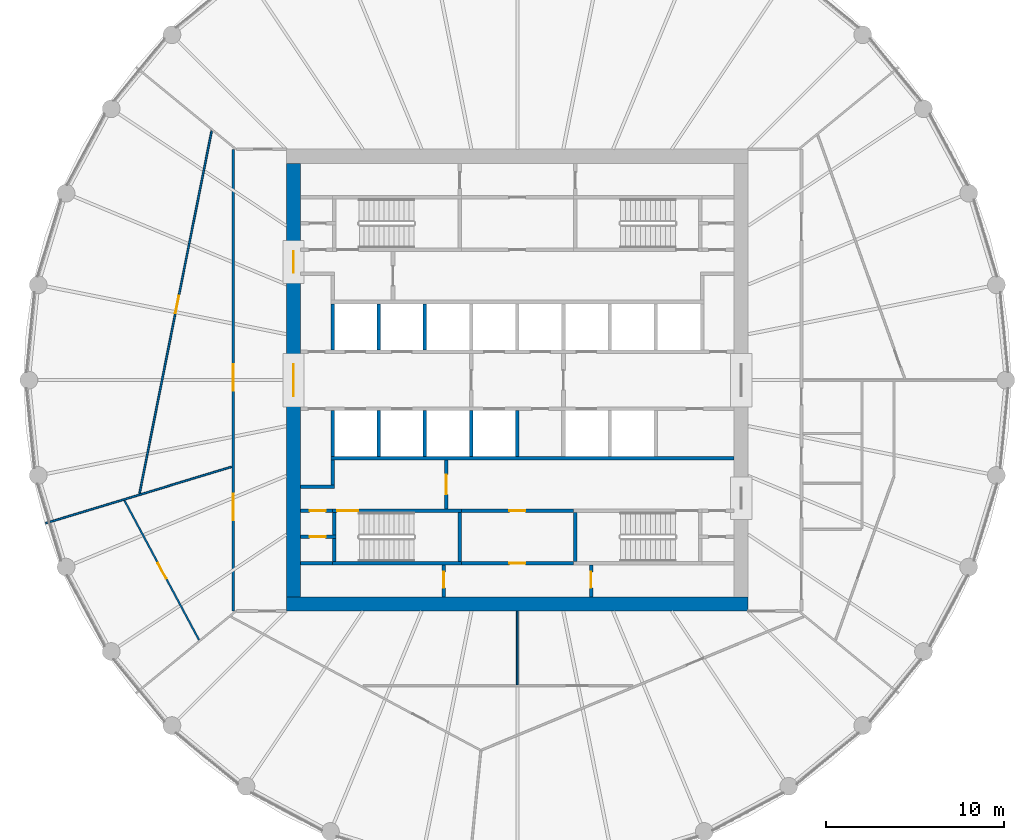
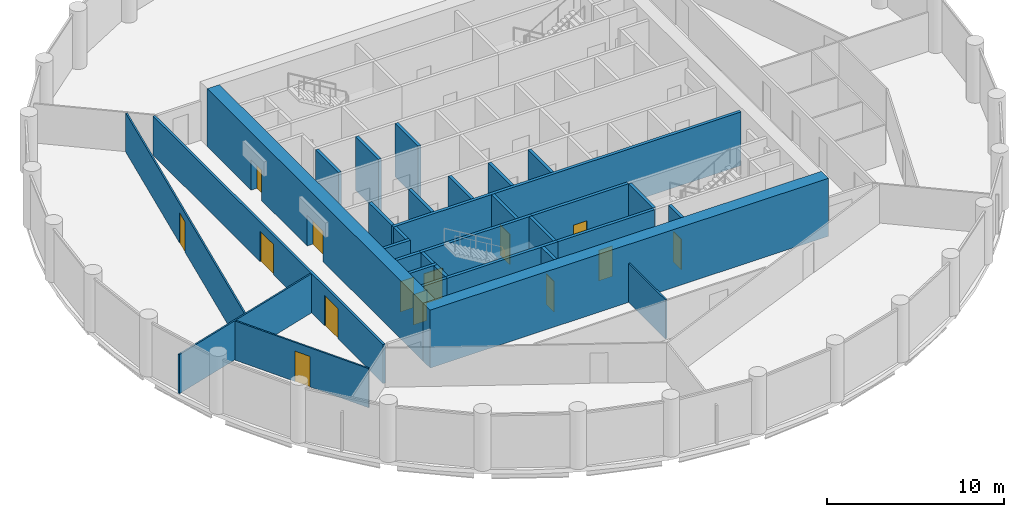
# One storey, part 4 of 8: 32 walls, 14 doors, 14 openings.
"""IFC4 building model written with IfcOpenShell, lengths in metres."""

from ifc_helpers import new_model, si_unit, direction, frame, frame_2d, origin, place, context, subcontext, project, spatial, polyline, rectangle, outline, extrude, material, layer, layer_set, type_object, element, fill, save


model = new_model("IFC4")

# Units and contexts
model_context = context("Model", 3, precision=1e-05, world=origin(), true_north=direction((0.0, 1.0)))
body_context = subcontext(model_context, "Body", "Model", "MODEL_VIEW")
ifc_project = project(units=[si_unit("LENGTHUNIT", "METRE"), si_unit("AREAUNIT", "SQUARE_METRE"), si_unit("VOLUMEUNIT", "CUBIC_METRE"), si_unit("PLANEANGLEUNIT", "RADIAN"), si_unit("MASSUNIT", "GRAM", prefix="KILO")], contexts=[model_context])

# Site, building, storey
site_placement = place(None, origin())
site = spatial("IfcSite", under=ifc_project, at=site_placement, CompositionType="ELEMENT")
building_placement = place(site_placement, origin())
building = spatial("IfcBuilding", under=site, at=building_placement, Name="Corvane Civic Tower", CompositionType="ELEMENT")
storey_placement = place(building_placement, frame((0.0, 0.0, 209.5)))
storey = spatial("IfcBuildingStorey", under=building, at=storey_placement, Name="L49", CompositionType="ELEMENT", Elevation=209.5)

# Wall
ifc_material_1 = material(Name="Concrete C50/60", Category="concrete")
ifc_layer_1 = layer(ifc_material_1, 0.800048828125)
ifc_layer_set_1 = layer_set([ifc_layer_1], Name="Concrete C50/60")
wall_type_1 = type_object("IfcWallType", Name="CORE WALL 800 C50/60", PredefinedType="SHEAR", material=ifc_layer_set_1)
wall_1_placement = place(storey_placement, frame((-13.0, -12.60009765625, 0.0), z_axis=(0.0, 0.0, 1.0), x_axis=(1.0, 0.0, 0.0)))
element("IfcWall", 1, at=wall_1_placement, inside=storey, type_object=wall_type_1, Name="W-L49-core-S", PredefinedType="SHEAR", context=body_context, shape_type="SweptSolid", body=[
    extrude(rectangle(XDim=26.0, YDim=0.800048828125, at=frame_2d((13.0, 0.0))), origin(), (0.0, 0.0, 1.0), 4.0),
])

# Wall, openings, doors
wall_2_placement = place(storey_placement, frame((-12.60009765625, -12.199951171875, 0.0), z_axis=(0.0, 0.0, 1.0), x_axis=(0.0, 1.0, 0.0)))
wall_2 = element("IfcWall", 2, at=wall_2_placement, inside=storey, type_object=wall_type_1, Name="W-L49-core-W", PredefinedType="SHEAR", context=body_context, shape_type="SweptSolid", body=[
    extrude(rectangle(XDim=24.39990234375, YDim=0.800048828125, at=frame_2d((12.199951171875, 0.0))), origin(), (0.0, 0.0, 1.0), 4.0),
])
opening_1_placement = place(wall_2_placement, frame((11.300048828125, 0.0, 0.0)))
opening_1 = element("IfcOpeningElement", 3, at=opening_1_placement, cuts=wall_2, Name="Opening L49.C30", PredefinedType="OPENING", context=body_context, shape_type="SweptSolid", body=[
    extrude(rectangle(XDim=1.800048828125, YDim=2.10009765625, at=frame_2d((0.89990234375, 1.050048828125))), frame((0.0, 0.409912109375, 0.0), z_axis=(0.0, -1.0, 0.0), x_axis=(1.0, 0.0, 0.0)), (0.0, 0.0, 1.0), 0.820068359375),
])
opening_2_placement = place(wall_2_placement, frame((18.25, 0.0, 0.0)))
opening_2 = element("IfcOpeningElement", 4, at=opening_2_placement, cuts=wall_2, Name="Opening L49.C32", PredefinedType="OPENING", context=body_context, shape_type="SweptSolid", body=[
    extrude(rectangle(XDim=1.199951171875, YDim=2.10009765625, at=frame_2d((0.60009765625, 1.050048828125))), frame((0.0, 0.409912109375, 0.0), z_axis=(0.0, -1.0, 0.0), x_axis=(1.0, 0.0, 0.0)), (0.0, 0.0, 1.0), 0.820068359375),
])
ifc_material_2 = material(Name="Steel fire door leaf", Category="steel")
door_type_1 = type_object("IfcDoorType", Name="CR-DOOR-CORE-1800", OperationType="DOUBLE_DOOR_SINGLE_SWING", PredefinedType="DOOR", material=ifc_material_2)
door_1_placement = place(opening_1_placement, origin())
door_1 = element("IfcDoor", 5, at=door_1_placement, inside=storey, type_object=door_type_1, Name="L49 door", OperationType="DOUBLE_DOOR_SINGLE_SWING", OverallHeight=2.10009765625, OverallWidth=1.800048828125, PredefinedType="DOOR", context=body_context, shape_type="SweptSolid", body=[
    extrude(rectangle(XDim=1.800048828125, YDim=2.10009765625, at=frame_2d((0.89990234375, 1.050048828125))), frame((0.0, 0.02490234375, 0.0), z_axis=(0.0, -1.0, 0.0), x_axis=(1.0, 0.0, 0.0)), (0.0, 0.0, 1.0), 0.050048828125),
])
fill(opening_1, door_1)
door_2_placement = place(opening_2_placement, origin())
door_2 = element("IfcDoor", 6, at=door_2_placement, inside=storey, type_object=door_type_1, Name="L49 door", OperationType="DOUBLE_DOOR_SINGLE_SWING", OverallHeight=2.10009765625, OverallWidth=1.199951171875, PredefinedType="DOOR", context=body_context, shape_type="SweptSolid", body=[
    extrude(rectangle(XDim=1.199951171875, YDim=2.10009765625, at=frame_2d((0.60009765625, 1.050048828125))), frame((0.0, 0.02490234375, 0.0), z_axis=(0.0, -1.0, 0.0), x_axis=(1.0, 0.0, 0.0)), (0.0, 0.0, 1.0), 0.050048828125),
])
fill(opening_2, door_2)

# Wall, opening, door
ifc_material_3 = material(Name="Concrete C30/37", Category="concrete")
ifc_layer_2 = layer(ifc_material_3, 0.199951171875)
ifc_layer_set_2 = layer_set([ifc_layer_2], Name="Concrete C30/37")
wall_type_2 = type_object("IfcWallType", Name="CR-WALL-200", PredefinedType="PARTITIONING", material=ifc_layer_set_2)
wall_3_placement = place(storey_placement, frame((-3.14990234375, -10.300048828125, 0.0), z_axis=(0.0, 0.0, 1.0), x_axis=(1.0, 0.0, 0.0)))
wall_3 = element("IfcWall", 7, at=wall_3_placement, inside=storey, type_object=wall_type_2, Name="L49 partition wall", PredefinedType="PARTITIONING", context=body_context, shape_type="SweptSolid", body=[
    extrude(rectangle(XDim=6.2998046875, YDim=0.199951171875, at=frame_2d((3.14990234375, 0.0))), origin(), (0.0, 0.0, 1.0), 3.699951171875),
])
opening_3_placement = place(wall_3_placement, frame((2.699951171875, 0.0, 0.0)))
opening_3 = element("IfcOpeningElement", 8, at=opening_3_placement, cuts=wall_3, Name="Opening L49.C12", PredefinedType="OPENING", context=body_context, shape_type="SweptSolid", body=[
    extrude(rectangle(XDim=0.89990234375, YDim=2.10009765625, at=frame_2d((0.449951171875, 1.050048828125))), frame((0.0, 0.10986328125, 0.0), z_axis=(0.0, -1.0, 0.0), x_axis=(1.0, 0.0, 0.0)), (0.0, 0.0, 1.0), 0.219970703125),
])
ifc_material_4 = material(Name="Steel fire door leaf", Category="steel")
door_type_2 = type_object("IfcDoorType", Name="CR-DOOR-900", OperationType="SINGLE_SWING_LEFT", PredefinedType="DOOR", material=ifc_material_4)
door_3_placement = place(opening_3_placement, origin())
door_3 = element("IfcDoor", 9, at=door_3_placement, inside=storey, type_object=door_type_2, Name="L49 door", OperationType="SINGLE_SWING_LEFT", OverallHeight=2.10009765625, OverallWidth=0.89990234375, PredefinedType="DOOR", context=body_context, shape_type="SweptSolid", body=[
    extrude(rectangle(XDim=0.89990234375, YDim=2.10009765625, at=frame_2d((0.449951171875, 1.050048828125))), frame((0.0, 0.02490234375, 0.0), z_axis=(0.0, -1.0, 0.0), x_axis=(1.0, 0.0, 0.0)), (0.0, 0.0, 1.0), 0.050048828125),
])
fill(opening_3, door_3)

wall_4_placement = place(storey_placement, frame((-12.199951171875, -8.824951171875, 0.0), z_axis=(0.0, 0.0, 1.0), x_axis=(1.0, 0.0, 0.0)))
wall_4 = element("IfcWall", 10, at=wall_4_placement, inside=storey, type_object=wall_type_2, Name="L49 partition wall", PredefinedType="PARTITIONING", context=body_context, shape_type="SweptSolid", body=[
    extrude(rectangle(XDim=2.0, YDim=0.199951171875, at=frame_2d((1.0, 0.0))), origin(), (0.0, 0.0, 1.0), 3.699951171875),
])
opening_4_placement = place(wall_4_placement, frame((0.5, 0.0, 0.0)))
opening_4 = element("IfcOpeningElement", 11, at=opening_4_placement, cuts=wall_4, Name="Opening L49.C17", PredefinedType="OPENING", context=body_context, shape_type="SweptSolid", body=[
    extrude(rectangle(XDim=0.89990234375, YDim=2.10009765625, at=frame_2d((0.449951171875, 1.050048828125))), frame((0.0, 0.10986328125, 0.0), z_axis=(0.0, -1.0, 0.0), x_axis=(1.0, 0.0, 0.0)), (0.0, 0.0, 1.0), 0.219970703125),
])
door_4_placement = place(opening_4_placement, origin())
door_4 = element("IfcDoor", 12, at=door_4_placement, inside=storey, type_object=door_type_2, Name="L49 door", OperationType="SINGLE_SWING_LEFT", OverallHeight=2.10009765625, OverallWidth=0.89990234375, PredefinedType="DOOR", context=body_context, shape_type="SweptSolid", body=[
    extrude(rectangle(XDim=0.89990234375, YDim=2.10009765625, at=frame_2d((0.449951171875, 1.050048828125))), frame((0.0, 0.02490234375, 0.0), z_axis=(0.0, -1.0, 0.0), x_axis=(1.0, 0.0, 0.0)), (0.0, 0.0, 1.0), 0.050048828125),
])
fill(opening_4, door_4)

wall_5_placement = place(storey_placement, frame((-12.199951171875, -7.35009765625, 0.0), z_axis=(0.0, 0.0, 1.0), x_axis=(1.0, 0.0, 0.0)))
wall_5 = element("IfcWall", 13, at=wall_5_placement, inside=storey, type_object=wall_type_2, Name="L49 core partition wall", PredefinedType="PARTITIONING", context=body_context, shape_type="SweptSolid", body=[
    extrude(rectangle(XDim=1.800048828125, YDim=0.199951171875, at=frame_2d((0.89990234375, 0.0))), origin(), (0.0, 0.0, 1.0), 3.699951171875),
])
opening_5_placement = place(wall_5_placement, frame((0.5, 0.0, 0.0)))
opening_5 = element("IfcOpeningElement", 14, at=opening_5_placement, cuts=wall_5, Name="Opening L49.C16", PredefinedType="OPENING", context=body_context, shape_type="SweptSolid", body=[
    extrude(rectangle(XDim=0.89990234375, YDim=2.10009765625, at=frame_2d((0.449951171875, 1.050048828125))), frame((0.0, 0.10986328125, 0.0), z_axis=(0.0, -1.0, 0.0), x_axis=(1.0, 0.0, 0.0)), (0.0, 0.0, 1.0), 0.219970703125),
])
door_5_placement = place(opening_5_placement, origin())
door_5 = element("IfcDoor", 15, at=door_5_placement, inside=storey, type_object=door_type_2, Name="L49 door", OperationType="SINGLE_SWING_LEFT", OverallHeight=2.10009765625, OverallWidth=0.89990234375, PredefinedType="DOOR", context=body_context, shape_type="SweptSolid", body=[
    extrude(rectangle(XDim=0.89990234375, YDim=2.10009765625, at=frame_2d((0.449951171875, 1.050048828125))), frame((0.0, 0.02490234375, 0.0), z_axis=(0.0, -1.0, 0.0), x_axis=(1.0, 0.0, 0.0)), (0.0, 0.0, 1.0), 0.050048828125),
])
fill(opening_5, door_5)

wall_6_placement = place(storey_placement, frame((-3.14990234375, -7.35009765625, 0.0), z_axis=(0.0, 0.0, 1.0), x_axis=(1.0, 0.0, 0.0)))
wall_6 = element("IfcWall", 16, at=wall_6_placement, inside=storey, type_object=wall_type_2, Name="L49 core partition wall", PredefinedType="PARTITIONING", context=body_context, shape_type="SweptSolid", body=[
    extrude(rectangle(XDim=6.2998046875, YDim=0.199951171875, at=frame_2d((3.14990234375, 0.0))), origin(), (0.0, 0.0, 1.0), 3.699951171875),
])
opening_6_placement = place(wall_6_placement, frame((2.699951171875, 0.0, 0.0)))
opening_6 = element("IfcOpeningElement", 17, at=opening_6_placement, cuts=wall_6, Name="Opening L49.C07", PredefinedType="OPENING", context=body_context, shape_type="SweptSolid", body=[
    extrude(rectangle(XDim=0.89990234375, YDim=2.10009765625, at=frame_2d((0.449951171875, 1.050048828125))), frame((0.0, 0.10986328125, 0.0), z_axis=(0.0, -1.0, 0.0), x_axis=(1.0, 0.0, 0.0)), (0.0, 0.0, 1.0), 0.219970703125),
])
door_6_placement = place(opening_6_placement, origin())
door_6 = element("IfcDoor", 18, at=door_6_placement, inside=storey, type_object=door_type_2, Name="L49 door", OperationType="SINGLE_SWING_LEFT", OverallHeight=2.10009765625, OverallWidth=0.89990234375, PredefinedType="DOOR", context=body_context, shape_type="SweptSolid", body=[
    extrude(rectangle(XDim=0.89990234375, YDim=2.10009765625, at=frame_2d((0.449951171875, 1.050048828125))), frame((0.0, 0.02490234375, 0.0), z_axis=(0.0, -1.0, 0.0), x_axis=(1.0, 0.0, 0.0)), (0.0, 0.0, 1.0), 0.050048828125),
])
fill(opening_6, door_6)

wall_7_placement = place(storey_placement, frame((-4.14990234375, -12.199951171875, 0.0), z_axis=(0.0, 0.0, 1.0), x_axis=(0.0, 1.0, 0.0)))
wall_7 = element("IfcWall", 19, at=wall_7_placement, inside=storey, type_object=wall_type_2, Name="L49 partition wall", PredefinedType="PARTITIONING", context=body_context, shape_type="SweptSolid", body=[
    extrude(rectangle(XDim=1.800048828125, YDim=0.199951171875, at=frame_2d((0.89990234375, 0.0))), origin(), (0.0, 0.0, 1.0), 3.699951171875),
])
opening_7_placement = place(wall_7_placement, frame((0.5, 0.0, 0.0)))
opening_7 = element("IfcOpeningElement", 20, at=opening_7_placement, cuts=wall_7, Name="Opening L49.C11", PredefinedType="OPENING", context=body_context, shape_type="SweptSolid", body=[
    extrude(rectangle(XDim=0.89990234375, YDim=2.10009765625, at=frame_2d((0.449951171875, 1.050048828125))), frame((0.0, 0.10986328125, 0.0), z_axis=(0.0, -1.0, 0.0), x_axis=(1.0, 0.0, 0.0)), (0.0, 0.0, 1.0), 0.219970703125),
])
door_7_placement = place(opening_7_placement, origin())
door_7 = element("IfcDoor", 21, at=door_7_placement, inside=storey, type_object=door_type_2, Name="L49 door", OperationType="SINGLE_SWING_LEFT", OverallHeight=2.10009765625, OverallWidth=0.89990234375, PredefinedType="DOOR", context=body_context, shape_type="SweptSolid", body=[
    extrude(rectangle(XDim=0.89990234375, YDim=2.10009765625, at=frame_2d((0.449951171875, 1.050048828125))), frame((0.0, 0.02490234375, 0.0), z_axis=(0.0, -1.0, 0.0), x_axis=(1.0, 0.0, 0.0)), (0.0, 0.0, 1.0), 0.050048828125),
])
fill(opening_7, door_7)

wall_8_placement = place(storey_placement, frame((-4.0, -7.25, 0.0), z_axis=(0.0, 0.0, 1.0), x_axis=(0.0, 1.0, 0.0)))
wall_8 = element("IfcWall", 22, at=wall_8_placement, inside=storey, type_object=wall_type_2, Name="L49 core partition wall", PredefinedType="PARTITIONING", context=body_context, shape_type="SweptSolid", body=[
    extrude(rectangle(XDim=2.75, YDim=0.199951171875, at=frame_2d((1.375, 0.0))), origin(), (0.0, 0.0, 1.0), 3.699951171875),
])
opening_8_placement = place(wall_8_placement, frame((0.824951171875, 0.0, 0.0)))
opening_8 = element("IfcOpeningElement", 23, at=opening_8_placement, cuts=wall_8, Name="Opening L49.C29", PredefinedType="OPENING", context=body_context, shape_type="SweptSolid", body=[
    extrude(rectangle(XDim=1.10009765625, YDim=2.10009765625, at=frame_2d((0.550048828125, 1.050048828125))), frame((0.0, 0.10986328125, 0.0), z_axis=(0.0, -1.0, 0.0), x_axis=(1.0, 0.0, 0.0)), (0.0, 0.0, 1.0), 0.219970703125),
])
ifc_material_5 = material(Name="Steel fire door leaf", Category="steel")
door_type_3 = type_object("IfcDoorType", Name="CR-DOOR-FFL-1100", OperationType="SINGLE_SWING_LEFT", PredefinedType="DOOR", material=ifc_material_5)
door_8_placement = place(opening_8_placement, origin())
door_8 = element("IfcDoor", 24, at=door_8_placement, inside=storey, type_object=door_type_3, Name="L49 lobby door", OperationType="SINGLE_SWING_LEFT", OverallHeight=2.10009765625, OverallWidth=1.10009765625, PredefinedType="DOOR", context=body_context, shape_type="SweptSolid", body=[
    extrude(rectangle(XDim=1.10009765625, YDim=2.10009765625, at=frame_2d((0.550048828125, 1.050048828125))), frame((0.0, 0.02490234375, 0.0), z_axis=(0.0, -1.0, 0.0), x_axis=(1.0, 0.0, 0.0)), (0.0, 0.0, 1.0), 0.050048828125),
])
fill(opening_8, door_8)

wall_9_placement = place(storey_placement, frame((4.14990234375, -12.199951171875, 0.0), z_axis=(0.0, 0.0, 1.0), x_axis=(0.0, 1.0, 0.0)))
wall_9 = element("IfcWall", 25, at=wall_9_placement, inside=storey, type_object=wall_type_2, Name="L49 partition wall", PredefinedType="PARTITIONING", context=body_context, shape_type="SweptSolid", body=[
    extrude(rectangle(XDim=1.800048828125, YDim=0.199951171875, at=frame_2d((0.89990234375, 0.0))), origin(), (0.0, 0.0, 1.0), 3.699951171875),
])
opening_9_placement = place(wall_9_placement, frame((0.5, 0.0, 0.0)))
opening_9 = element("IfcOpeningElement", 26, at=opening_9_placement, cuts=wall_9, Name="Opening L49.C13", PredefinedType="OPENING", context=body_context, shape_type="SweptSolid", body=[
    extrude(rectangle(XDim=0.89990234375, YDim=2.10009765625, at=frame_2d((0.449951171875, 1.050048828125))), frame((0.0, 0.10986328125, 0.0), z_axis=(0.0, -1.0, 0.0), x_axis=(1.0, 0.0, 0.0)), (0.0, 0.0, 1.0), 0.219970703125),
])
door_9_placement = place(opening_9_placement, origin())
door_9 = element("IfcDoor", 27, at=door_9_placement, inside=storey, type_object=door_type_2, Name="L49 door", OperationType="SINGLE_SWING_LEFT", OverallHeight=2.10009765625, OverallWidth=0.89990234375, PredefinedType="DOOR", context=body_context, shape_type="SweptSolid", body=[
    extrude(rectangle(XDim=0.89990234375, YDim=2.10009765625, at=frame_2d((0.449951171875, 1.050048828125))), frame((0.0, 0.02490234375, 0.0), z_axis=(0.0, -1.0, 0.0), x_axis=(1.0, 0.0, 0.0)), (0.0, 0.0, 1.0), 0.050048828125),
])
fill(opening_9, door_9)

# Walls
wall_10_placement = place(storey_placement, origin())
element("IfcWall", 28, at=wall_10_placement, inside=storey, type_object=wall_type_2, Name="L49 core partition wall", PredefinedType="PARTITIONING", context=body_context, shape_type="SweptSolid", body=[
    extrude(outline(polyline([(12.199951171875, -4.300048828125), (12.199951171875, -4.5), (-10.5, -4.5), (-10.5, -4.300048828125), (12.199951171875, -4.300048828125)])), origin(), (0.0, 0.0, 1.0), 3.699951171875),
])
wall_11_placement = place(storey_placement, origin())
element("IfcWall", 29, at=wall_11_placement, inside=storey, type_object=wall_type_2, Name="L49 core partition wall", PredefinedType="PARTITIONING", context=body_context, shape_type="SweptSolid", body=[
    extrude(outline(polyline([(-2.5, -1.699951171875), (-2.5, -4.2998046875), (-2.699951171875, -4.2998046875), (-2.699951171875, -1.699951171875), (-2.5, -1.699951171875)])), origin(), (0.0, 0.0, 1.0), 3.699951171875),
])
wall_12_placement = place(storey_placement, origin())
element("IfcWall", 30, at=wall_12_placement, inside=storey, type_object=wall_type_2, Name="L49 core partition wall", PredefinedType="PARTITIONING", context=body_context, shape_type="SweptSolid", body=[
    extrude(outline(polyline([(0.10009765625, -1.699951171875), (0.10009765625, -4.2998046875), (-0.10009765625, -4.2998046875), (-0.10009765625, -1.699951171875), (0.10009765625, -1.699951171875)])), origin(), (0.0, 0.0, 1.0), 3.699951171875),
])
wall_13_placement = place(storey_placement, origin())
element("IfcWall", 31, at=wall_13_placement, inside=storey, type_object=wall_type_2, Name="L49 core partition wall", PredefinedType="PARTITIONING", context=body_context, shape_type="SweptSolid", body=[
    extrude(outline(polyline([(-10.300048828125, -1.699951171875), (-10.300048828125, -4.2998046875), (-10.5, -4.2998046875), (-10.5, -1.699951171875), (-10.300048828125, -1.699951171875)])), origin(), (0.0, 0.0, 1.0), 3.699951171875),
])
wall_14_placement = place(storey_placement, origin())
element("IfcWall", 32, at=wall_14_placement, inside=storey, type_object=wall_type_2, Name="L49 core partition wall", PredefinedType="PARTITIONING", context=body_context, shape_type="SweptSolid", body=[
    extrude(outline(polyline([(-7.699951171875, -1.699951171875), (-7.699951171875, -4.2998046875), (-7.89990234375, -4.2998046875), (-7.89990234375, -1.699951171875), (-7.699951171875, -1.699951171875)])), origin(), (0.0, 0.0, 1.0), 3.699951171875),
])
wall_15_placement = place(storey_placement, origin())
element("IfcWall", 33, at=wall_15_placement, inside=storey, type_object=wall_type_2, Name="L49 core partition wall", PredefinedType="PARTITIONING", context=body_context, shape_type="SweptSolid", body=[
    extrude(outline(polyline([(-5.10009765625, -1.699951171875), (-5.10009765625, -4.2998046875), (-5.300048828125, -4.2998046875), (-5.300048828125, -1.699951171875), (-5.10009765625, -1.699951171875)])), origin(), (0.0, 0.0, 1.0), 3.699951171875),
])
wall_16_placement = place(storey_placement, origin())
element("IfcWall", 34, at=wall_16_placement, inside=storey, type_object=wall_type_2, Name="L49 core partition wall", PredefinedType="PARTITIONING", context=body_context, shape_type="SweptSolid", body=[
    extrude(outline(polyline([(-10.300048828125, -6.10009765625), (-12.199951171875, -6.10009765625), (-12.199951171875, -5.89990234375), (-10.300048828125, -5.89990234375), (-10.300048828125, -6.10009765625)])), origin(), (0.0, 0.0, 1.0), 3.699951171875),
])
wall_17_placement = place(storey_placement, origin())
element("IfcWall", 35, at=wall_17_placement, inside=storey, type_object=wall_type_2, Name="L49 core partition wall", PredefinedType="PARTITIONING", context=body_context, shape_type="SweptSolid", body=[
    extrude(outline(polyline([(-10.300048828125, -5.89990234375), (-10.5, -5.89990234375), (-10.5, -4.5), (-10.300048828125, -4.5), (-10.300048828125, -5.89990234375)])), origin(), (0.0, 0.0, 1.0), 3.699951171875),
])
wall_18_placement = place(storey_placement, origin())
element("IfcWall", 36, at=wall_18_placement, inside=storey, type_object=wall_type_2, Name="L49 core partition wall", PredefinedType="PARTITIONING", context=body_context, shape_type="SweptSolid", body=[
    extrude(outline(polyline([(-10.300048828125, 1.699951171875), (-10.5, 1.699951171875), (-10.5, 4.2998046875), (-10.300048828125, 4.2998046875), (-10.300048828125, 1.699951171875)])), origin(), (0.0, 0.0, 1.0), 3.699951171875),
])
wall_19_placement = place(storey_placement, origin())
element("IfcWall", 37, at=wall_19_placement, inside=storey, type_object=wall_type_2, Name="L49 core partition wall", PredefinedType="PARTITIONING", context=body_context, shape_type="SweptSolid", body=[
    extrude(outline(polyline([(-7.699951171875, 1.699951171875), (-7.89990234375, 1.699951171875), (-7.89990234375, 4.2998046875), (-7.699951171875, 4.2998046875), (-7.699951171875, 1.699951171875)])), origin(), (0.0, 0.0, 1.0), 3.699951171875),
])
wall_20_placement = place(storey_placement, origin())
element("IfcWall", 38, at=wall_20_placement, inside=storey, type_object=wall_type_2, Name="L49 core partition wall", PredefinedType="PARTITIONING", context=body_context, shape_type="SweptSolid", body=[
    extrude(outline(polyline([(-5.10009765625, 1.699951171875), (-5.300048828125, 1.699951171875), (-5.300048828125, 4.2998046875), (-5.10009765625, 4.2998046875), (-5.10009765625, 1.699951171875)])), origin(), (0.0, 0.0, 1.0), 3.699951171875),
])
wall_21_placement = place(storey_placement, origin())
element("IfcWall", 39, at=wall_21_placement, inside=storey, type_object=wall_type_2, Name="L49 core partition wall", PredefinedType="PARTITIONING", context=body_context, shape_type="SweptSolid", body=[
    extrude(outline(polyline([(-10.39990234375, -10.39990234375), (-12.199951171875, -10.39990234375), (-12.199951171875, -10.199951171875), (-10.39990234375, -10.199951171875), (-10.39990234375, -10.39990234375)])), origin(), (0.0, 0.0, 1.0), 3.699951171875),
])
ifc_material_6 = material(Name="Plasterboard")
ifc_layer_3 = layer(ifc_material_6, 0.10009765625)
ifc_layer_set_3 = layer_set([ifc_layer_3], Name="Plasterboard")
wall_type_3 = type_object("IfcWallType", Name="Partition 100 plasterboard on studs", PredefinedType="PARTITIONING", material=ifc_layer_set_3)
wall_22_placement = place(storey_placement, frame((0.0, -17.14990234375, 0.0), z_axis=(0.0, 0.0, 1.0), x_axis=(0.0, 1.0, 0.0)))
element("IfcWall", 40, at=wall_22_placement, inside=storey, type_object=wall_type_3, Name="Partition L49.007", PredefinedType="PARTITIONING", context=body_context, shape_type="SweptSolid", body=[
    extrude(rectangle(XDim=4.14990234375, YDim=0.10009765625, at=frame_2d((2.074951171875, 0.0))), origin(), (0.0, 0.0, 1.0), 2.699951171875),
])

# Wall, opening, door
wall_23_placement = place(storey_placement, frame((-22.119384765625, -6.772216796875, 0.0), z_axis=(0.0, 0.0, 1.0), x_axis=(0.471383151243, -0.881928525859, 0.0)))
wall_23 = element("IfcWall", 41, at=wall_23_placement, inside=storey, type_object=wall_type_3, Name="Partition L49.008", PredefinedType="PARTITIONING", context=body_context, shape_type="SweptSolid", body=[
    extrude(rectangle(XDim=8.90869140625, YDim=0.10009765625, at=frame_2d((4.454345703125, 0.0))), origin(), (0.0, 0.0, 1.0), 2.699951171875),
])
opening_10_placement = place(wall_23_placement, frame((3.990966796875, 0.0, 0.0)))
opening_10 = element("IfcOpeningElement", 42, at=opening_10_placement, cuts=wall_23, Name="Opening L49.014", PredefinedType="OPENING", context=body_context, shape_type="SweptSolid", body=[
    extrude(rectangle(XDim=1.0, YDim=2.10009765625, at=frame_2d((0.5, 1.050048828125))), frame((0.0, 0.06005859375, 0.0), z_axis=(0.0, -1.0, 0.0), x_axis=(1.0, 0.0, 0.0)), (0.0, 0.0, 1.0), 0.1201171875),
])
ifc_material_7 = material(Name="Timber", Category="wood")
door_type_4 = type_object("IfcDoorType", Name="Single door 1000", OperationType="NOTDEFINED", PredefinedType="DOOR", material=ifc_material_7)
door_10_placement = place(opening_10_placement, frame((1.0, 0.0, 0.0), z_axis=(0.0, 0.0, 1.0), x_axis=(-1.0, 0.0, 0.0)))
door_10 = element("IfcDoor", 43, at=door_10_placement, inside=storey, type_object=door_type_4, Name="Door L49.014", OperationType="SINGLE_SWING_LEFT", OverallHeight=2.10009765625, OverallWidth=1.0, PredefinedType="DOOR", context=body_context, shape_type="SweptSolid", body=[
    extrude(rectangle(XDim=1.0, YDim=2.10009765625, at=frame_2d((0.5, 1.050048828125))), frame((0.0, 0.02490234375, 0.0), z_axis=(0.0, -1.0, 0.0), x_axis=(1.0, 0.0, 0.0)), (0.0, 0.0, 1.0), 0.050048828125),
])
fill(opening_10, door_10)

# Wall
wall_24_placement = place(storey_placement, frame((-26.555419921875, -8.055419921875, 0.0), z_axis=(0.0, 0.0, 1.0), x_axis=(0.956939502521, 0.290287423971, 0.0)))
element("IfcWall", 44, at=wall_24_placement, inside=storey, type_object=wall_type_3, Name="Partition L49.016", PredefinedType="PARTITIONING", context=body_context, shape_type="SweptSolid", body=[
    extrude(rectangle(XDim=10.936767578125, YDim=0.10009765625, at=frame_2d((5.46826171875, 0.0))), origin(), (0.0, 0.0, 1.0), 2.699951171875),
])

# Wall, opening, door
wall_25_placement = place(storey_placement, frame((-21.26953125, -6.375244140625, 0.0), z_axis=(0.0, 0.0, 1.0), x_axis=(0.195095978337, 0.980784155274, 0.0)))
wall_25 = element("IfcWall", 45, at=wall_25_placement, inside=storey, type_object=wall_type_3, Name="Partition L49.017", PredefinedType="PARTITIONING", context=body_context, shape_type="SweptSolid", body=[
    extrude(rectangle(XDim=20.80419921875, YDim=0.10009765625, at=frame_2d((10.402099609375, 0.0))), origin(), (0.0, 0.0, 1.0), 2.699951171875),
])
opening_11_placement = place(wall_25_placement, frame((10.34765625, 0.0, 0.0)))
opening_11 = element("IfcOpeningElement", 46, at=opening_11_placement, cuts=wall_25, Name="Opening L49.016", PredefinedType="OPENING", context=body_context, shape_type="SweptSolid", body=[
    extrude(rectangle(XDim=1.0, YDim=2.10009765625, at=frame_2d((0.5, 1.050048828125))), frame((0.0, 0.06005859375, 0.0), z_axis=(0.0, -1.0, 0.0), x_axis=(1.0, 0.0, 0.0)), (0.0, 0.0, 1.0), 0.1201171875),
])
door_11_placement = place(opening_11_placement, origin())
door_11 = element("IfcDoor", 47, at=door_11_placement, inside=storey, type_object=door_type_4, Name="Door L49.016", OperationType="SINGLE_SWING_RIGHT", OverallHeight=2.10009765625, OverallWidth=1.0, PredefinedType="DOOR", context=body_context, shape_type="SweptSolid", body=[
    extrude(rectangle(XDim=1.0, YDim=2.10009765625, at=frame_2d((0.5, 1.050048828125))), frame((0.0, 0.02490234375, 0.0), z_axis=(0.0, -1.0, 0.0), x_axis=(1.0, 0.0, 0.0)), (0.0, 0.0, 1.0), 0.050048828125),
])
fill(opening_11, door_11)

ifc_material_8 = material(Name="Concrete C50/60", Category="concrete")
ifc_layer_4 = layer(ifc_material_8, 0.199951171875)
ifc_layer_set_4 = layer_set([ifc_layer_4], Name="Concrete C50/60")
wall_type_4 = type_object("IfcWallType", Name="ST-WALL-200", PredefinedType="SHEAR", material=ifc_layer_set_4)
wall_26_placement = place(storey_placement, frame((-10.39990234375, -7.35009765625, 0.0), z_axis=(0.0, 0.0, 1.0), x_axis=(1.0, 0.0, 0.0)))
wall_26 = element("IfcWall", 48, at=wall_26_placement, inside=storey, type_object=wall_type_4, Name="L49 stair enclosure wall", PredefinedType="SHEAR", context=body_context, shape_type="SweptSolid", body=[
    extrude(rectangle(XDim=7.25, YDim=0.199951171875, at=frame_2d((3.625, 0.0))), origin(), (0.0, 0.0, 1.0), 3.699951171875),
])
opening_12_placement = place(wall_26_placement, frame((0.25, 0.0, 0.0)))
opening_12 = element("IfcOpeningElement", 49, at=opening_12_placement, cuts=wall_26, Name="Opening L49.C25", PredefinedType="OPENING", context=body_context, shape_type="SweptSolid", body=[
    extrude(rectangle(XDim=1.199951171875, YDim=2.10009765625, at=frame_2d((0.60009765625, 1.050048828125))), frame((0.0, 0.10986328125, 0.0), z_axis=(0.0, -1.0, 0.0), x_axis=(1.0, 0.0, 0.0)), (0.0, 0.0, 1.0), 0.219970703125),
])
ifc_material_9 = material(Name="Steel fire door leaf", Category="steel")
door_type_5 = type_object("IfcDoorType", Name="ST-DOOR-1200", OperationType="SINGLE_SWING_RIGHT", PredefinedType="DOOR", material=ifc_material_9)
door_12_placement = place(opening_12_placement, origin())
door_12 = element("IfcDoor", 50, at=door_12_placement, inside=storey, type_object=door_type_5, Name="L49 stair door", OperationType="SINGLE_SWING_RIGHT", OverallHeight=2.10009765625, OverallWidth=1.199951171875, PredefinedType="DOOR", context=body_context, shape_type="SweptSolid", body=[
    extrude(rectangle(XDim=1.199951171875, YDim=2.10009765625, at=frame_2d((0.60009765625, 1.050048828125))), frame((0.0, 0.02490234375, 0.0), z_axis=(0.0, -1.0, 0.0), x_axis=(1.0, 0.0, 0.0)), (0.0, 0.0, 1.0), 0.050048828125),
])
fill(opening_12, door_12)

# Walls
wall_27_placement = place(storey_placement, origin())
element("IfcWall", 51, at=wall_27_placement, inside=storey, type_object=wall_type_4, Name="L49 stair enclosure wall", PredefinedType="SHEAR", context=body_context, shape_type="SweptSolid", body=[
    extrude(outline(polyline([(-3.14990234375, -10.199951171875), (-3.14990234375, -10.39990234375), (-10.39990234375, -10.39990234375), (-10.39990234375, -10.199951171875), (-3.14990234375, -10.199951171875)])), origin(), (0.0, 0.0, 1.0), 3.699951171875),
])
wall_28_placement = place(storey_placement, origin())
element("IfcWall", 52, at=wall_28_placement, inside=storey, type_object=wall_type_4, Name="L49 stair enclosure wall", PredefinedType="SHEAR", context=body_context, shape_type="SweptSolid", body=[
    extrude(outline(polyline([(-3.14990234375, -7.449951171875), (-3.14990234375, -10.199951171875), (-3.35009765625, -10.199951171875), (-3.35009765625, -7.449951171875), (-3.14990234375, -7.449951171875)])), origin(), (0.0, 0.0, 1.0), 3.699951171875),
])
wall_29_placement = place(storey_placement, origin())
element("IfcWall", 53, at=wall_29_placement, inside=storey, type_object=wall_type_4, Name="L49 stair enclosure wall", PredefinedType="SHEAR", context=body_context, shape_type="SweptSolid", body=[
    extrude(outline(polyline([(3.35009765625, -7.449951171875), (3.35009765625, -10.199951171875), (3.14990234375, -10.199951171875), (3.14990234375, -7.449951171875), (3.35009765625, -7.449951171875)])), origin(), (0.0, 0.0, 1.0), 3.699951171875),
])
wall_30_placement = place(storey_placement, origin())
element("IfcWall", 54, at=wall_30_placement, inside=storey, type_object=wall_type_4, Name="L49 stair enclosure wall", PredefinedType="SHEAR", context=body_context, shape_type="SweptSolid", body=[
    extrude(outline(polyline([(-10.199951171875, -7.449951171875), (-10.199951171875, -8.72509765625), (-10.39990234375, -8.72509765625), (-10.39990234375, -7.449951171875), (-10.199951171875, -7.449951171875)])), origin(), (0.0, 0.0, 1.0), 3.699951171875),
])
wall_31_placement = place(storey_placement, origin())
element("IfcWall", 55, at=wall_31_placement, inside=storey, type_object=wall_type_4, Name="L49 stair enclosure wall", PredefinedType="SHEAR", context=body_context, shape_type="SweptSolid", body=[
    extrude(outline(polyline([(-10.199951171875, -8.925048828125), (-10.199951171875, -10.199951171875), (-10.39990234375, -10.199951171875), (-10.39990234375, -8.925048828125), (-10.199951171875, -8.925048828125)])), origin(), (0.0, 0.0, 1.0), 3.699951171875),
])

# Wall, openings, doors
ifc_material_10 = material(Name="Plasterboard")
ifc_layer_5 = layer(ifc_material_10, 0.14990234375)
ifc_layer_set_5 = layer_set([ifc_layer_5], Name="Plasterboard")
wall_type_5 = type_object("IfcWallType", Name="Tenancy wall 150 EI 60", PredefinedType="PARTITIONING", material=ifc_layer_set_5)
wall_32_placement = place(storey_placement, frame((-16.0, -13.0, 0.0), z_axis=(0.0, 0.0, 1.0), x_axis=(0.0, 1.0, 0.0)))
wall_32 = element("IfcWall", 56, at=wall_32_placement, inside=storey, type_object=wall_type_5, Name="Partition L49.010", PredefinedType="PARTITIONING", context=body_context, shape_type="SweptSolid", body=[
    extrude(rectangle(XDim=26.0, YDim=0.14990234375, at=frame_2d((13.0, 0.0))), origin(), (0.0, 0.0, 1.0), 2.699951171875),
])
opening_13_placement = place(wall_32_placement, frame((5.10888671875, 0.0, 0.0)))
opening_13 = element("IfcOpeningElement", 57, at=opening_13_placement, cuts=wall_32, Name="Opening L49.015", PredefinedType="OPENING", context=body_context, shape_type="SweptSolid", body=[
    extrude(rectangle(XDim=1.5, YDim=2.10009765625, at=frame_2d((0.75, 1.050048828125))), frame((0.0, 0.0849609375, 0.0), z_axis=(0.0, -1.0, 0.0), x_axis=(1.0, 0.0, 0.0)), (0.0, 0.0, 1.0), 0.169921875),
])
opening_14_placement = place(wall_32_placement, frame((12.408447265625, 0.0, 0.0)))
opening_14 = element("IfcOpeningElement", 58, at=opening_14_placement, cuts=wall_32, Name="Opening L49.017", PredefinedType="OPENING", context=body_context, shape_type="SweptSolid", body=[
    extrude(rectangle(XDim=1.5, YDim=2.10009765625, at=frame_2d((0.75, 1.050048828125))), frame((0.0, 0.0849609375, 0.0), z_axis=(0.0, -1.0, 0.0), x_axis=(1.0, 0.0, 0.0)), (0.0, 0.0, 1.0), 0.169921875),
])
ifc_material_11 = material(Name="Steel and timber", Category="steel")
door_type_6 = type_object("IfcDoorType", Name="Fire door FD60 double 1500", OperationType="NOTDEFINED", PredefinedType="DOOR", material=ifc_material_11)
door_13_placement = place(opening_13_placement, origin())
door_13 = element("IfcDoor", 59, at=door_13_placement, inside=storey, type_object=door_type_6, Name="Door L49.015", OperationType="DOUBLE_DOOR_SINGLE_SWING", OverallHeight=2.10009765625, OverallWidth=1.5, PredefinedType="DOOR", context=body_context, shape_type="SweptSolid", body=[
    extrude(rectangle(XDim=1.5, YDim=2.10009765625, at=frame_2d((0.75, 1.050048828125))), frame((0.0, 0.02490234375, 0.0), z_axis=(0.0, -1.0, 0.0), x_axis=(1.0, 0.0, 0.0)), (0.0, 0.0, 1.0), 0.050048828125),
])
fill(opening_13, door_13)
door_14_placement = place(opening_14_placement, origin())
door_14 = element("IfcDoor", 60, at=door_14_placement, inside=storey, type_object=door_type_6, Name="Door L49.017", OperationType="DOUBLE_DOOR_SINGLE_SWING", OverallHeight=2.10009765625, OverallWidth=1.5, PredefinedType="DOOR", context=body_context, shape_type="SweptSolid", body=[
    extrude(rectangle(XDim=1.5, YDim=2.10009765625, at=frame_2d((0.75, 1.050048828125))), frame((0.0, 0.02490234375, 0.0), z_axis=(0.0, -1.0, 0.0), x_axis=(1.0, 0.0, 0.0)), (0.0, 0.0, 1.0), 0.050048828125),
])
fill(opening_14, door_14)

save(model, "model.ifc")
